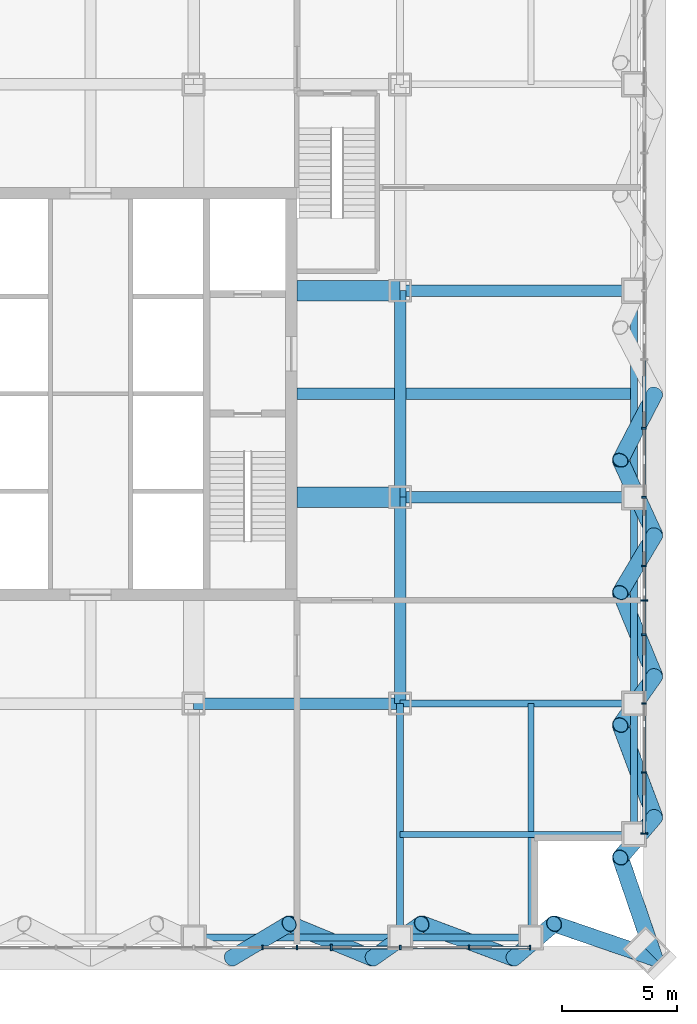
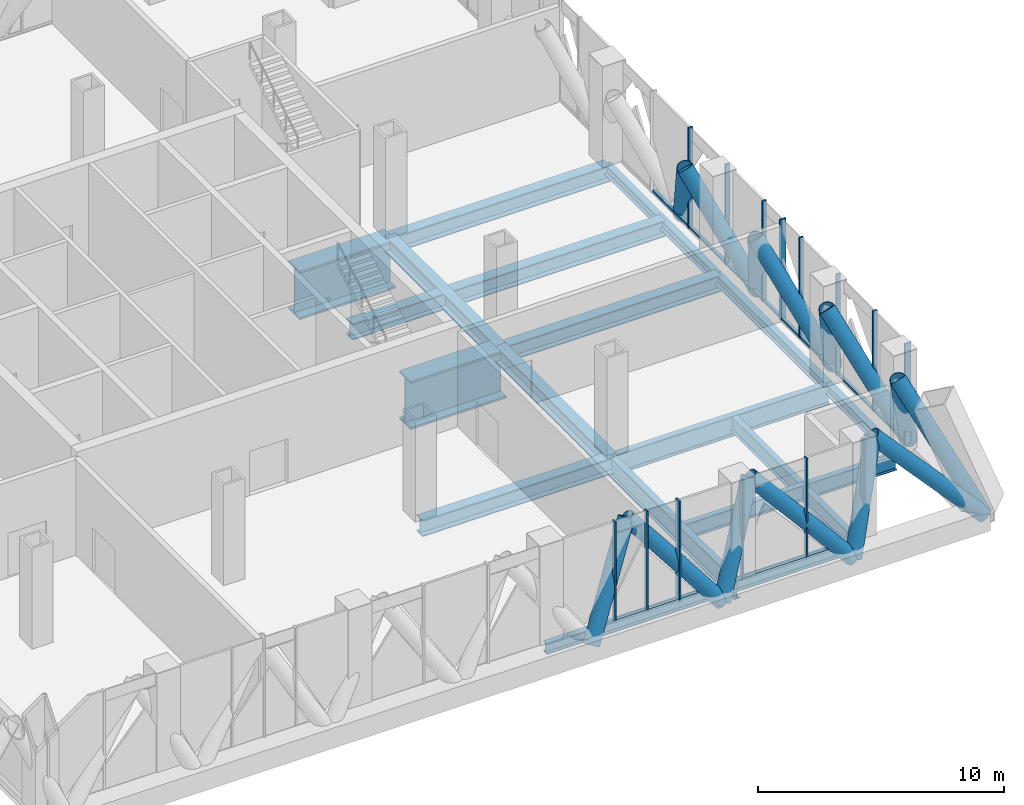
# One storey, part 7 of 29: 41 members, 17 beams, 2 elements without a shape of their own.
"""IFC4 building model written with IfcOpenShell, lengths in metres."""

import ifcopenshell
import ifcopenshell.guid

model = None  # the IFC model being written
_history = None  # IfcOwnerHistory: only IFC2X3 demands one
_inside = {}  # id of a spatial element -> (the spatial element, [elements in it])
_under = {}  # id of a project, library or spatial element -> (it, [spatial elements below it])
_declared = {}  # id of a project -> (the project, [libraries it declares])
_typed = {}  # id of a type object -> (the type object, [elements of that type])
_made_of = {}  # id of a material, layer set ... -> (it, [elements and type objects made of it])


def new_model(schema):
    """Start an empty IFC model of exactly this schema.

    Asked for "IFC4X3", IfcOpenShell would pick the latest addendum, in which some entities
    have other attributes; the version numbers below select the first issue.
    IFC2X3 requires an IfcOwnerHistory on every rooted entity: one is made here for all.
    """
    global model, _history
    if schema == "IFC4X3":
        model = ifcopenshell.file(schema_version=(4, 3, 0, 0))
    else:
        model = ifcopenshell.file(schema=schema)
    _inside.clear()
    _under.clear()
    _declared.clear()
    _typed.clear()
    _made_of.clear()
    _history = None
    if model.schema == "IFC2X3":
        org = make("IfcOrganization", Name="unknown")
        user = make(
            "IfcPersonAndOrganization",
            ThePerson=make("IfcPerson", FamilyName="unknown"),
            TheOrganization=org,
        )
        app = make(
            "IfcApplication",
            ApplicationDeveloper=org,
            Version="unknown",
            ApplicationFullName="unknown",
            ApplicationIdentifier="unknown",
        )
        _history = make(
            "IfcOwnerHistory",
            OwningUser=user,
            OwningApplication=app,
            ChangeAction="ADDED",
            CreationDate=0,
        )
    return model


def make(cls, **values):
    """One entity of the class cls with the attributes given. An attribute that is None is left unset."""
    return model.create_entity(
        cls, **{name: value for name, value in values.items() if value is not None}
    )


def rooted(cls, **values):
    """An entity with a GlobalId (a new one), such as an element, a storey or a relation."""
    return make(cls, GlobalId=ifcopenshell.guid.new(), OwnerHistory=_history, **values)


def si_unit(unit_type, name, prefix=None):
    """IfcSIUnit, for example si_unit("LENGTHUNIT", "METRE", prefix="MILLI")."""
    return make("IfcSIUnit", UnitType=unit_type, Prefix=prefix, Name=name)


def assignment(units):
    """IfcUnitAssignment: the units of a project."""
    return None if units is None else make("IfcUnitAssignment", Units=units)


def point(xyz):
    """IfcCartesianPoint."""
    return None if xyz is None else make("IfcCartesianPoint", Coordinates=xyz)


def direction(xyz):
    """IfcDirection."""
    return None if xyz is None else make("IfcDirection", DirectionRatios=xyz)


def frame(location, z_axis=None, x_axis=None):
    """IfcAxis2Placement3D, a coordinate frame: its origin and axes. An axis left out is left unset."""
    return make(
        "IfcAxis2Placement3D",
        Location=point(location),
        Axis=direction(z_axis),
        RefDirection=direction(x_axis),
    )


def frame_2d(location, x_axis=None):
    """IfcAxis2Placement2D, a coordinate frame in the plane: its origin and x axis."""
    return make(
        "IfcAxis2Placement2D", Location=point(location), RefDirection=direction(x_axis)
    )


def origin():
    """The frame at (0, 0, 0) with its axes left unset."""
    return frame((0.0, 0.0, 0.0))


def origin_2d():
    """The frame at (0, 0) in the plane with its x axis left unset."""
    return frame_2d((0.0, 0.0))


def place(relative_to, where):
    """IfcLocalPlacement: puts the frame where relative to a parent placement (None: the world)."""
    return make(
        "IfcLocalPlacement", PlacementRelTo=relative_to, RelativePlacement=where
    )


def context(
    kind, dimensions, precision=None, world=None, true_north=None, identifier=None
):
    """IfcGeometricRepresentationContext, for example the 3D "Model" context."""
    return make(
        "IfcGeometricRepresentationContext",
        ContextIdentifier=identifier,
        ContextType=kind,
        CoordinateSpaceDimension=dimensions,
        Precision=precision,
        WorldCoordinateSystem=world,
        TrueNorth=true_north,
    )


def subcontext(parent, identifier, kind, view, scale=None):
    """IfcGeometricRepresentationSubContext, for example "Body" below "Model"."""
    return make(
        "IfcGeometricRepresentationSubContext",
        ContextIdentifier=identifier,
        ContextType=kind,
        ParentContext=parent,
        TargetScale=scale,
        TargetView=view,
    )


def project(units=None, contexts=None):
    """IfcProject with its units and contexts."""
    return rooted(
        "IfcProject",
        Name="project",
        RepresentationContexts=contexts,
        UnitsInContext=assignment(units),
    )


def spatial(cls, under=None, at=None, **own):
    """A site, building, storey or space (cls), placed at a placement, below another one or the project."""
    s = rooted(cls, ObjectPlacement=at, **own)
    if under is not None:
        _under.setdefault(under.id(), (under, []))[1].append(s)
    return s


def profile(cls, at=None, kind="AREA", **sizes):
    """A parametric profile (cls). Its sizes go by their IFC names, for example OverallWidth=200.0."""
    return make(cls, ProfileType=kind, Position=at, **sizes)


def rectangle(**sizes):
    """IfcRectangleProfileDef."""
    return profile("IfcRectangleProfileDef", **sizes)


def hollow_circle(**sizes):
    """IfcCircleHollowProfileDef."""
    return profile("IfcCircleHollowProfileDef", **sizes)


def i_section(**sizes):
    """IfcIShapeProfileDef."""
    return profile("IfcIShapeProfileDef", **sizes)


def extrude(swept, where, along, depth):
    """IfcExtrudedAreaSolid: the profile swept, set in the frame where, extruded along a direction by depth."""
    return make(
        "IfcExtrudedAreaSolid",
        SweptArea=swept,
        Position=where,
        ExtrudedDirection=direction(along),
        Depth=depth,
    )


def shape(context_of_items, identifier, shape_type, items):
    """IfcShapeRepresentation: the items that make up one representation, for example the "Body"."""
    return make(
        "IfcShapeRepresentation",
        ContextOfItems=context_of_items,
        RepresentationIdentifier=identifier,
        RepresentationType=shape_type,
        Items=items,
    )


def material(Name=None, Category=None):
    """IfcMaterial."""
    return make("IfcMaterial", Name=Name, Category=Category)


def layer(
    of_material, thickness, ventilated=None, Name=None, Category=None, Priority=None
):
    """IfcMaterialLayer: one layer of a wall or slab, of a material (None: an air gap)."""
    return make(
        "IfcMaterialLayer",
        Material=of_material,
        LayerThickness=thickness,
        IsVentilated=ventilated,
        Name=Name,
        Category=Category,
        Priority=Priority,
    )


def layer_set(layers, Name=None):
    """IfcMaterialLayerSet."""
    return make("IfcMaterialLayerSet", MaterialLayers=layers, LayerSetName=Name)


def material_profile(
    of_material, cross_section, Name=None, Category=None, Priority=None
):
    """IfcMaterialProfile: a cross section and its material."""
    return make(
        "IfcMaterialProfile",
        Name=Name,
        Material=of_material,
        Profile=cross_section,
        Priority=Priority,
        Category=Category,
    )


def profile_set(profiles, Name=None, composite=None):
    """IfcMaterialProfileSet."""
    return make(
        "IfcMaterialProfileSet",
        Name=Name,
        MaterialProfiles=profiles,
        CompositeProfile=composite,
    )


def made_of(thing, what):
    """Note that an element or type object is made of a material, layer set ...; save() writes the relation."""
    if what is not None:
        _made_of.setdefault(what.id(), (what, []))[1].append(thing)
    return thing


def type_object(cls, material=None, **own):
    """A type object (cls), such as IfcWallType, which elements share."""
    return made_of(rooted(cls, **own), material)


def element(
    cls,
    number,
    at=None,
    inside=None,
    cuts=None,
    type_object=None,
    material=None,
    context=None,
    identifier="Body",
    shape_type=None,
    held_by="IfcProductDefinitionShape",
    body=None,
    shapes=None,
    **own,
):
    """One element of the class cls, such as IfcWall. Its Tag is "e" and its number.

    at: its placement. inside: the storey or other place that contains it. cuts: it is an
    opening in that element (IfcRelVoidsElement). A single representation is given by context,
    identifier, shape_type and body (its items); several are given by shapes. held_by: the class
    of the entity that holds the representations. save() writes the other relations.
    """
    e = rooted(cls, Tag="e%d" % number, ObjectPlacement=at, **own)
    if body is not None:
        shapes = [shape(context, identifier, shape_type, body)]
    if shapes is not None:
        e.Representation = make(held_by, Representations=shapes)
    if inside is not None:
        _inside.setdefault(inside.id(), (inside, []))[1].append(e)
    if cuts is not None:
        rooted(
            "IfcRelVoidsElement", RelatingBuildingElement=cuts, RelatedOpeningElement=e
        )
    if type_object is not None:
        _typed.setdefault(type_object.id(), (type_object, []))[1].append(e)
    return made_of(e, material)


def aggregate(whole, parts):
    """IfcRelAggregates: a whole, such as a stair, and the parts it consists of."""
    return rooted("IfcRelAggregates", RelatingObject=whole, RelatedObjects=parts)


def save(model, path):
    """Write the relations noted so far, then the file.

    IfcRelAggregates (storeys below a building ...), IfcRelContainedInSpatialStructure (elements
    in a storey), IfcRelDefinesByType, IfcRelAssociatesMaterial and IfcRelDeclares: one each for
    every whole, place, type object, material and project.
    """
    for whole, parts in _under.values():
        aggregate(whole, parts)
    for where, things in _inside.values():
        rooted(
            "IfcRelContainedInSpatialStructure",
            RelatedElements=things,
            RelatingStructure=where,
        )
    for kind, things in _typed.values():
        rooted("IfcRelDefinesByType", RelatedObjects=things, RelatingType=kind)
    for what, things in _made_of.values():
        rooted("IfcRelAssociatesMaterial", RelatedObjects=things, RelatingMaterial=what)
    for by, libraries in _declared.values():
        rooted("IfcRelDeclares", RelatingContext=by, RelatedDefinitions=libraries)
    model.write(path)


model = new_model("IFC4")

# Units and contexts
model_context = context("Model", 3, precision=1e-05, world=origin(), true_north=direction((0.0, 1.0)))
body_context = subcontext(model_context, "Body", "Model", "MODEL_VIEW")
ifc_project = project(units=[si_unit("LENGTHUNIT", "METRE"), si_unit("AREAUNIT", "SQUARE_METRE"), si_unit("VOLUMEUNIT", "CUBIC_METRE"), si_unit("PLANEANGLEUNIT", "RADIAN"), si_unit("MASSUNIT", "GRAM", prefix="KILO")], contexts=[model_context])

# Site, building, storey
site_placement = place(None, origin())
site = spatial("IfcSite", under=ifc_project, at=site_placement, CompositionType="ELEMENT")
building_placement = place(site_placement, origin())
building = spatial("IfcBuilding", under=site, at=building_placement, Name="Malebo Sky Hospital", CompositionType="ELEMENT")
storey_placement = place(building_placement, frame((0.0, 0.0, 172.0)))
storey = spatial("IfcBuildingStorey", under=building, at=storey_placement, Name="L41", CompositionType="ELEMENT", Elevation=172.0)

# Curtain wall, members
ifc_material_1 = material(Name="Anodised aluminium, natural silver", Category="aluminium")
ifc_layer = layer(ifc_material_1, 0.25)
ifc_layer_set = layer_set([ifc_layer], Name="PLANT LOUVRE SCREEN")
curtain_wall_type = type_object("IfcCurtainWallType", Name="PLANT LOUVRE SCREEN", PredefinedType="NOTDEFINED", material=ifc_layer_set)
curtain_wall_1_placement = place(storey_placement, origin())
curtain_wall_1 = element("IfcCurtainWall", 1, at=curtain_wall_1_placement, inside=storey, type_object=curtain_wall_type, Name="PLANT curtain wall S", PredefinedType="NOTDEFINED")
ifc_material_profile_1 = material_profile(ifc_material_1, rectangle(XDim=0.14990234375, YDim=0.10009765625, at=origin_2d()), Name="ALUMINIUM TRANSOM 150x100")
ifc_profile_set_1 = profile_set([ifc_material_profile_1], Name="Anodised aluminium, natural silver")
member_type_1 = type_object("IfcMemberType", Name="ALUMINIUM TRANSOM 150x100", PredefinedType="USERDEFINED", material=ifc_profile_set_1)
member_1_placement = place(storey_placement, frame((79.125, 37.864990234375, 0.050048828125), z_axis=(-1.0, 0.0, 0.0), x_axis=(0.0, -1.0, 0.0)))
member_1 = element("IfcMember", 2, at=member_1_placement, type_object=member_type_1, Name="Transom 1", ObjectType="TRANSOM", PredefinedType="USERDEFINED", context=body_context, shape_type="SweptSolid", body=[
    extrude(rectangle(XDim=0.14990234375, YDim=0.10009765625, at=origin_2d()), origin(), (0.0, 0.0, 1.0), 2.58740234375),
])
member_2_placement = place(storey_placement, frame((76.46240234375, 37.864990234375, 0.050048828125), z_axis=(-1.0, 0.0, 0.0), x_axis=(0.0, -1.0, 0.0)))
member_2 = element("IfcMember", 3, at=member_2_placement, type_object=member_type_1, Name="Transom 2", ObjectType="TRANSOM", PredefinedType="USERDEFINED", context=body_context, shape_type="SweptSolid", body=[
    extrude(rectangle(XDim=0.14990234375, YDim=0.10009765625, at=origin_2d()), origin(), (0.0, 0.0, 1.0), 2.9248046875),
])
member_3_placement = place(storey_placement, frame((73.46240234375, 37.864990234375, 0.050048828125), z_axis=(-1.0, 0.0, 0.0), x_axis=(0.0, -1.0, 0.0)))
member_3 = element("IfcMember", 4, at=member_3_placement, type_object=member_type_1, Name="Transom 3", ObjectType="TRANSOM", PredefinedType="USERDEFINED", context=body_context, shape_type="SweptSolid", body=[
    extrude(rectangle(XDim=0.14990234375, YDim=0.10009765625, at=origin_2d()), origin(), (0.0, 0.0, 1.0), 2.9248046875),
])
member_4_placement = place(storey_placement, frame((70.46240234375, 37.864990234375, 0.050048828125), z_axis=(-1.0, 0.0, 0.0), x_axis=(0.0, -1.0, 0.0)))
member_4 = element("IfcMember", 5, at=member_4_placement, type_object=member_type_1, Name="Transom 4", ObjectType="TRANSOM", PredefinedType="USERDEFINED", context=body_context, shape_type="SweptSolid", body=[
    extrude(rectangle(XDim=0.14990234375, YDim=0.10009765625, at=origin_2d()), origin(), (0.0, 0.0, 1.0), 1.4248046875),
])
member_5_placement = place(storey_placement, frame((68.96240234375, 37.864990234375, 0.050048828125), z_axis=(-1.0, 0.0, 0.0), x_axis=(0.0, -1.0, 0.0)))
member_5 = element("IfcMember", 6, at=member_5_placement, type_object=member_type_1, Name="Transom 5", ObjectType="TRANSOM", PredefinedType="USERDEFINED", context=body_context, shape_type="SweptSolid", body=[
    extrude(rectangle(XDim=0.14990234375, YDim=0.10009765625, at=origin_2d()), origin(), (0.0, 0.0, 1.0), 1.4248046875),
])

curtain_wall_2_placement = place(storey_placement, origin())
curtain_wall_2 = element("IfcCurtainWall", 7, at=curtain_wall_2_placement, inside=storey, type_object=curtain_wall_type, Name="PLANT curtain wall E", PredefinedType="NOTDEFINED")
member_6_placement = place(storey_placement, frame((84.135009765625, 63.46240234375, 0.050048828125), z_axis=(0.0, -1.0, 0.0), x_axis=(1.0, 0.0, 0.0)))
member_6 = element("IfcMember", 8, at=member_6_placement, type_object=member_type_1, Name="Transom 8", ObjectType="TRANSOM", PredefinedType="USERDEFINED", context=body_context, shape_type="SweptSolid", body=[
    extrude(rectangle(XDim=0.14990234375, YDim=0.10009765625, at=origin_2d()), origin(), (0.0, 0.0, 1.0), 2.9248046875),
])
member_7_placement = place(storey_placement, frame((84.135009765625, 60.46240234375, 0.050048828125), z_axis=(0.0, -1.0, 0.0), x_axis=(1.0, 0.0, 0.0)))
member_7 = element("IfcMember", 9, at=member_7_placement, type_object=member_type_1, Name="Transom 9", ObjectType="TRANSOM", PredefinedType="USERDEFINED", context=body_context, shape_type="SweptSolid", body=[
    extrude(rectangle(XDim=0.14990234375, YDim=0.10009765625, at=origin_2d()), origin(), (0.0, 0.0, 1.0), 2.9248046875),
])
member_8_placement = place(storey_placement, frame((84.135009765625, 57.46240234375, 0.050048828125), z_axis=(0.0, -1.0, 0.0), x_axis=(1.0, 0.0, 0.0)))
member_8 = element("IfcMember", 10, at=member_8_placement, type_object=member_type_1, Name="Transom 10", ObjectType="TRANSOM", PredefinedType="USERDEFINED", context=body_context, shape_type="SweptSolid", body=[
    extrude(rectangle(XDim=0.14990234375, YDim=0.10009765625, at=origin_2d()), origin(), (0.0, 0.0, 1.0), 2.9248046875),
])
member_9_placement = place(storey_placement, frame((84.135009765625, 54.46240234375, 0.050048828125), z_axis=(0.0, -1.0, 0.0), x_axis=(1.0, 0.0, 0.0)))
member_9 = element("IfcMember", 11, at=member_9_placement, type_object=member_type_1, Name="Transom 11", ObjectType="TRANSOM", PredefinedType="USERDEFINED", context=body_context, shape_type="SweptSolid", body=[
    extrude(rectangle(XDim=0.14990234375, YDim=0.10009765625, at=origin_2d()), origin(), (0.0, 0.0, 1.0), 1.4248046875),
])
member_10_placement = place(storey_placement, frame((84.135009765625, 52.96240234375, 0.050048828125), z_axis=(0.0, -1.0, 0.0), x_axis=(1.0, 0.0, 0.0)))
member_10 = element("IfcMember", 12, at=member_10_placement, type_object=member_type_1, Name="Transom 12", ObjectType="TRANSOM", PredefinedType="USERDEFINED", context=body_context, shape_type="SweptSolid", body=[
    extrude(rectangle(XDim=0.14990234375, YDim=0.10009765625, at=origin_2d()), origin(), (0.0, 0.0, 1.0), 1.4248046875),
])
member_11_placement = place(storey_placement, frame((84.135009765625, 51.46240234375, 0.050048828125), z_axis=(0.0, -1.0, 0.0), x_axis=(1.0, 0.0, 0.0)))
member_11 = element("IfcMember", 13, at=member_11_placement, type_object=member_type_1, Name="Transom 13", ObjectType="TRANSOM", PredefinedType="USERDEFINED", context=body_context, shape_type="SweptSolid", body=[
    extrude(rectangle(XDim=0.14990234375, YDim=0.10009765625, at=origin_2d()), origin(), (0.0, 0.0, 1.0), 2.9248046875),
])
member_12_placement = place(storey_placement, frame((84.135009765625, 48.46240234375, 0.050048828125), z_axis=(0.0, -1.0, 0.0), x_axis=(1.0, 0.0, 0.0)))
member_12 = element("IfcMember", 14, at=member_12_placement, type_object=member_type_1, Name="Transom 14", ObjectType="TRANSOM", PredefinedType="USERDEFINED", context=body_context, shape_type="SweptSolid", body=[
    extrude(rectangle(XDim=0.14990234375, YDim=0.10009765625, at=origin_2d()), origin(), (0.0, 0.0, 1.0), 2.9248046875),
])
member_13_placement = place(storey_placement, frame((84.135009765625, 45.46240234375, 0.050048828125), z_axis=(0.0, -1.0, 0.0), x_axis=(1.0, 0.0, 0.0)))
member_13 = element("IfcMember", 15, at=member_13_placement, type_object=member_type_1, Name="Transom 15", ObjectType="TRANSOM", PredefinedType="USERDEFINED", context=body_context, shape_type="SweptSolid", body=[
    extrude(rectangle(XDim=0.14990234375, YDim=0.10009765625, at=origin_2d()), origin(), (0.0, 0.0, 1.0), 2.58740234375),
])

# Members
ifc_material_2 = material(Name="Steel S460", Category="steel")
ifc_material_profile_2 = material_profile(ifc_material_2, hollow_circle(Radius=0.35546875, WallThickness=0.02490234375, at=origin_2d()), Name="CHS 711x25")
ifc_profile_set_2 = profile_set([ifc_material_profile_2], Name="Steel S460")
member_type_2 = type_object("IfcMemberType", Name="BELT TRUSS DIAGONAL CHS 711x25", PredefinedType="BRACE", material=ifc_profile_set_2)
member_14_placement = place(storey_placement, frame((66.14990234375, 37.39990234375, -0.39990234375), z_axis=(0.464483521417, 0.277282039991, 0.841052750207), x_axis=(-0.512580541453, 0.858639149191, 0.0)))
element("IfcMember", 16, at=member_14_placement, inside=storey, type_object=member_type_2, Name="Belt truss diagonal S6.1 L41", PredefinedType="BRACE", context=body_context, shape_type="SweptSolid", body=[
    extrude(hollow_circle(Radius=0.35546875, WallThickness=0.02490234375, at=origin_2d()), origin(), (0.0, 0.0, 1.0), 5.40966796875),
])
member_15_placement = place(storey_placement, frame((68.66259765625, 38.89990234375, 4.14990234375), z_axis=(0.604717094337, -0.249371221398, -0.756393568029), x_axis=(0.381233483965, 0.924478788672, 0.0)))
element("IfcMember", 17, at=member_15_placement, inside=storey, type_object=member_type_2, Name="Belt truss diagonal S6.2 L41", PredefinedType="BRACE", context=body_context, shape_type="SweptSolid", body=[
    extrude(hollow_circle(Radius=0.35546875, WallThickness=0.02490234375, at=origin_2d()), origin(), (0.0, 0.0, 1.0), 6.01513671875),
])
member_16_placement = place(storey_placement, frame((72.300048828125, 37.39990234375, -0.39990234375), z_axis=(0.407452101972, 0.285937831469, 0.867307523969), x_axis=(-0.574434541353, 0.818550522387, 0.0)))
element("IfcMember", 18, at=member_16_placement, inside=storey, type_object=member_type_2, Name="Belt truss diagonal S7.1 L41", PredefinedType="BRACE", context=body_context, shape_type="SweptSolid", body=[
    extrude(hollow_circle(Radius=0.35546875, WallThickness=0.02490234375, at=origin_2d()), origin(), (0.0, 0.0, 1.0), 5.245849609375),
])
member_17_placement = place(storey_placement, frame((74.4375, 38.89990234375, 4.14990234375), z_axis=(0.642090926271, -0.240036912139, -0.728080712017), x_axis=(0.350167642828, 0.936687045878, 0.0)))
element("IfcMember", 19, at=member_17_placement, inside=storey, type_object=member_type_2, Name="Belt truss diagonal S7.2 L41", PredefinedType="BRACE", context=body_context, shape_type="SweptSolid", body=[
    extrude(hollow_circle(Radius=0.35546875, WallThickness=0.02490234375, at=origin_2d()), origin(), (0.0, 0.0, 1.0), 6.2490234375),
])
member_18_placement = place(storey_placement, frame((78.449951171875, 37.39990234375, -0.39990234375), z_axis=(0.345267139836, 0.29385251519, 0.891314367362), x_axis=(-0.648129042738, 0.761530527267, 0.0)))
element("IfcMember", 20, at=member_18_placement, inside=storey, type_object=member_type_2, Name="Belt truss diagonal S8.1 L41", PredefinedType="BRACE", context=body_context, shape_type="SweptSolid", body=[
    extrude(hollow_circle(Radius=0.35546875, WallThickness=0.02490234375, at=origin_2d()), origin(), (0.0, 0.0, 1.0), 5.1044921875),
])
for number, where, z_axis, x_axis, name in (
    (21, (80.21240234375, 38.89990234375, 4.14990234375), (0.675409080109, -0.230898808602, -0.700362987809), (0.323484250944, 0.946233554357, 0.0), "Belt truss diagonal S8.2 L41"),
    (22, (84.60009765625, 37.39990234375, -0.39990234375), (-0.230898808602, 0.675409080109, 0.700362987809), (-0.946233554357, -0.323484250944, 0.0), "Belt truss diagonal E1.1 L41"),
):
    element("IfcMember", number, at=place(storey_placement, frame(where, z_axis=z_axis, x_axis=x_axis)), inside=storey, type_object=member_type_2, Name=name, PredefinedType="BRACE", context=body_context, shape_type="SweptSolid", body=[
        extrude(hollow_circle(Radius=0.35546875, WallThickness=0.02490234375, at=origin_2d()), origin(), (0.0, 0.0, 1.0), 6.496337890625),
    ])
member_19_placement = place(storey_placement, frame((83.10009765625, 41.78759765625, 4.14990234375), z_axis=(0.29385251519, 0.345267139836, -0.891314367362), x_axis=(-0.761530527267, 0.648129042738, 0.0)))
element("IfcMember", 23, at=member_19_placement, inside=storey, type_object=member_type_2, Name="Belt truss diagonal E1.2 L41", PredefinedType="BRACE", context=body_context, shape_type="SweptSolid", body=[
    extrude(hollow_circle(Radius=0.35546875, WallThickness=0.02490234375, at=origin_2d()), origin(), (0.0, 0.0, 1.0), 5.1044921875),
])
member_20_placement = place(storey_placement, frame((84.60009765625, 43.550048828125, -0.39990234375), z_axis=(-0.240036912139, 0.642090926271, 0.728080712017), x_axis=(-0.936687045878, -0.350167642828, 0.0)))
element("IfcMember", 24, at=member_20_placement, inside=storey, type_object=member_type_2, Name="Belt truss diagonal E2.1 L41", PredefinedType="BRACE", context=body_context, shape_type="SweptSolid", body=[
    extrude(hollow_circle(Radius=0.35546875, WallThickness=0.02490234375, at=origin_2d()), origin(), (0.0, 0.0, 1.0), 6.2490234375),
])
member_21_placement = place(storey_placement, frame((83.10009765625, 47.5625, 4.14990234375), z_axis=(0.285937831469, 0.407452101972, -0.867307523969), x_axis=(-0.818550522387, 0.574434541353, 0.0)))
element("IfcMember", 25, at=member_21_placement, inside=storey, type_object=member_type_2, Name="Belt truss diagonal E2.2 L41", PredefinedType="BRACE", context=body_context, shape_type="SweptSolid", body=[
    extrude(hollow_circle(Radius=0.35546875, WallThickness=0.02490234375, at=origin_2d()), origin(), (0.0, 0.0, 1.0), 5.245849609375),
])
member_22_placement = place(storey_placement, frame((84.60009765625, 49.699951171875, -0.39990234375), z_axis=(-0.249371221398, 0.604717094337, 0.756393568029), x_axis=(-0.924478788672, -0.381233483965, 0.0)))
element("IfcMember", 26, at=member_22_placement, inside=storey, type_object=member_type_2, Name="Belt truss diagonal E3.1 L41", PredefinedType="BRACE", context=body_context, shape_type="SweptSolid", body=[
    extrude(hollow_circle(Radius=0.35546875, WallThickness=0.02490234375, at=origin_2d()), origin(), (0.0, 0.0, 1.0), 6.01513671875),
])
member_23_placement = place(storey_placement, frame((83.10009765625, 53.33740234375, 4.14990234375), z_axis=(0.277282039991, 0.464483521417, -0.841052750207), x_axis=(-0.858639149191, 0.512580541453, 0.0)))
element("IfcMember", 27, at=member_23_placement, inside=storey, type_object=member_type_2, Name="Belt truss diagonal E3.2 L41", PredefinedType="BRACE", context=body_context, shape_type="SweptSolid", body=[
    extrude(hollow_circle(Radius=0.35546875, WallThickness=0.02490234375, at=origin_2d()), origin(), (0.0, 0.0, 1.0), 5.40966796875),
])
member_24_placement = place(storey_placement, frame((84.60009765625, 55.85009765625, -0.39990234375), z_axis=(-0.258796497336, 0.562873957341, 0.78498234446), x_axis=(-0.908567362374, -0.417738372703, 0.0)))
element("IfcMember", 28, at=member_24_placement, inside=storey, type_object=member_type_2, Name="Belt truss diagonal E4.1 L41", PredefinedType="BRACE", context=body_context, shape_type="SweptSolid", body=[
    extrude(hollow_circle(Radius=0.35546875, WallThickness=0.02490234375, at=origin_2d()), origin(), (0.0, 0.0, 1.0), 5.796142578125),
])
member_25_placement = place(storey_placement, frame((83.10009765625, 59.112548828125, 4.14990234375), z_axis=(0.268164746883, 0.516208408429, -0.813398148262), x_axis=(-0.887402230287, 0.460995967099, 0.0)))
element("IfcMember", 29, at=member_25_placement, inside=storey, type_object=member_type_2, Name="Belt truss diagonal E4.2 L41", PredefinedType="BRACE", context=body_context, shape_type="SweptSolid", body=[
    extrude(hollow_circle(Radius=0.35546875, WallThickness=0.02490234375, at=origin_2d()), origin(), (0.0, 0.0, 1.0), 5.593505859375),
])

# Member
ifc_material_profile_3 = material_profile(ifc_material_1, rectangle(XDim=0.074951171875, YDim=0.199951171875, at=origin_2d()), Name="CW5 ALUMINIUM FIN MULLION 75x200")
ifc_profile_set_3 = profile_set([ifc_material_profile_3], Name="Anodised aluminium, natural silver")
member_type_3 = type_object("IfcMemberType", Name="CW5 ALUMINIUM FIN MULLION 75x200", PredefinedType="MULLION", material=ifc_profile_set_3)
member_26_placement = place(storey_placement, frame((79.16259765625, 37.864990234375, 0.0), z_axis=(0.0, 0.0, 1.0), x_axis=(-1.0, 0.0, 0.0)))
member_26 = element("IfcMember", 30, at=member_26_placement, type_object=member_type_3, Name="Fin mullion 1", PredefinedType="MULLION", context=body_context, shape_type="SweptSolid", body=[
    extrude(rectangle(XDim=0.074951171875, YDim=0.199951171875, at=origin_2d()), origin(), (0.0, 0.0, 1.0), 5.0),
])

member_27_placement = place(storey_placement, frame((76.5, 37.864990234375, 0.0), z_axis=(0.0, 0.0, 1.0), x_axis=(-1.0, 0.0, 0.0)))
member_27 = element("IfcMember", 31, at=member_27_placement, type_object=member_type_3, Name="Fin mullion 2", PredefinedType="MULLION", context=body_context, shape_type="SweptSolid", body=[
    extrude(rectangle(XDim=0.074951171875, YDim=0.199951171875, at=origin_2d()), origin(), (0.0, 0.0, 1.0), 5.0),
])

member_28_placement = place(storey_placement, frame((73.5, 37.864990234375, 0.0), z_axis=(0.0, 0.0, 1.0), x_axis=(-1.0, 0.0, 0.0)))
member_28 = element("IfcMember", 32, at=member_28_placement, type_object=member_type_3, Name="Fin mullion 3", PredefinedType="MULLION", context=body_context, shape_type="SweptSolid", body=[
    extrude(rectangle(XDim=0.074951171875, YDim=0.199951171875, at=origin_2d()), origin(), (0.0, 0.0, 1.0), 5.0),
])

member_29_placement = place(storey_placement, frame((69.0, 37.864990234375, 0.0), z_axis=(0.0, 0.0, 1.0), x_axis=(-1.0, 0.0, 0.0)))
member_29 = element("IfcMember", 33, at=member_29_placement, type_object=member_type_3, Name="Fin mullion 5", PredefinedType="MULLION", context=body_context, shape_type="SweptSolid", body=[
    extrude(rectangle(XDim=0.074951171875, YDim=0.199951171875, at=origin_2d()), origin(), (0.0, 0.0, 1.0), 5.0),
])

member_30_placement = place(storey_placement, frame((67.5, 37.864990234375, 0.0), z_axis=(0.0, 0.0, 1.0), x_axis=(-1.0, 0.0, 0.0)))
member_30 = element("IfcMember", 34, at=member_30_placement, type_object=member_type_3, Name="Fin mullion 6", PredefinedType="MULLION", context=body_context, shape_type="SweptSolid", body=[
    extrude(rectangle(XDim=0.074951171875, YDim=0.199951171875, at=origin_2d()), origin(), (0.0, 0.0, 1.0), 5.0),
])

member_31_placement = place(storey_placement, frame((84.135009765625, 60.5, 0.0), z_axis=(0.0, 0.0, 1.0), x_axis=(0.0, -1.0, 0.0)))
member_31 = element("IfcMember", 35, at=member_31_placement, type_object=member_type_3, Name="Fin mullion 9", PredefinedType="MULLION", context=body_context, shape_type="SweptSolid", body=[
    extrude(rectangle(XDim=0.074951171875, YDim=0.199951171875, at=origin_2d()), origin(), (0.0, 0.0, 1.0), 5.0),
])

member_32_placement = place(storey_placement, frame((84.135009765625, 57.5, 0.0), z_axis=(0.0, 0.0, 1.0), x_axis=(0.0, -1.0, 0.0)))
member_32 = element("IfcMember", 36, at=member_32_placement, type_object=member_type_3, Name="Fin mullion 10", PredefinedType="MULLION", context=body_context, shape_type="SweptSolid", body=[
    extrude(rectangle(XDim=0.074951171875, YDim=0.199951171875, at=origin_2d()), origin(), (0.0, 0.0, 1.0), 5.0),
])

member_33_placement = place(storey_placement, frame((84.135009765625, 54.5, 0.0), z_axis=(0.0, 0.0, 1.0), x_axis=(0.0, -1.0, 0.0)))
member_33 = element("IfcMember", 37, at=member_33_placement, type_object=member_type_3, Name="Fin mullion 11", PredefinedType="MULLION", context=body_context, shape_type="SweptSolid", body=[
    extrude(rectangle(XDim=0.074951171875, YDim=0.199951171875, at=origin_2d()), origin(), (0.0, 0.0, 1.0), 5.0),
])

member_34_placement = place(storey_placement, frame((84.135009765625, 51.5, 0.0), z_axis=(0.0, 0.0, 1.0), x_axis=(0.0, -1.0, 0.0)))
member_34 = element("IfcMember", 38, at=member_34_placement, type_object=member_type_3, Name="Fin mullion 13", PredefinedType="MULLION", context=body_context, shape_type="SweptSolid", body=[
    extrude(rectangle(XDim=0.074951171875, YDim=0.199951171875, at=origin_2d()), origin(), (0.0, 0.0, 1.0), 5.0),
])

member_35_placement = place(storey_placement, frame((84.135009765625, 48.5, 0.0), z_axis=(0.0, 0.0, 1.0), x_axis=(0.0, -1.0, 0.0)))
member_35 = element("IfcMember", 39, at=member_35_placement, type_object=member_type_3, Name="Fin mullion 14", PredefinedType="MULLION", context=body_context, shape_type="SweptSolid", body=[
    extrude(rectangle(XDim=0.074951171875, YDim=0.199951171875, at=origin_2d()), origin(), (0.0, 0.0, 1.0), 5.0),
])

member_36_placement = place(storey_placement, frame((84.135009765625, 45.5, 0.0), z_axis=(0.0, 0.0, 1.0), x_axis=(0.0, -1.0, 0.0)))
member_36 = element("IfcMember", 40, at=member_36_placement, type_object=member_type_3, Name="Fin mullion 15", PredefinedType="MULLION", context=body_context, shape_type="SweptSolid", body=[
    extrude(rectangle(XDim=0.074951171875, YDim=0.199951171875, at=origin_2d()), origin(), (0.0, 0.0, 1.0), 5.0),
])

ifc_material_profile_4 = material_profile(ifc_material_1, rectangle(XDim=0.074951171875, YDim=0.300048828125, at=origin_2d()), Name="CW5 ALUMINIUM FIN MULLION 75x300")
ifc_profile_set_4 = profile_set([ifc_material_profile_4], Name="Anodised aluminium, natural silver")
member_type_4 = type_object("IfcMemberType", Name="CW5 ALUMINIUM FIN MULLION 75x300", PredefinedType="MULLION", material=ifc_profile_set_4)
member_37_placement = place(storey_placement, frame((70.5, 37.864990234375, 0.0), z_axis=(0.0, 0.0, 1.0), x_axis=(-1.0, 0.0, 0.0)))
member_37 = element("IfcMember", 41, at=member_37_placement, type_object=member_type_4, Name="Fin mullion 4", PredefinedType="MULLION", context=body_context, shape_type="SweptSolid", body=[
    extrude(rectangle(XDim=0.074951171875, YDim=0.300048828125, at=origin_2d()), origin(), (0.0, 0.0, 1.0), 5.0),
])

aggregate(curtain_wall_1, [member_26, member_27, member_28, member_37, member_29, member_30, member_1, member_2, member_3, member_4, member_5])

member_38_placement = place(storey_placement, frame((84.135009765625, 53.0, 0.0), z_axis=(0.0, 0.0, 1.0), x_axis=(0.0, -1.0, 0.0)))
member_38 = element("IfcMember", 42, at=member_38_placement, type_object=member_type_4, Name="Fin mullion 12", PredefinedType="MULLION", context=body_context, shape_type="SweptSolid", body=[
    extrude(rectangle(XDim=0.074951171875, YDim=0.300048828125, at=origin_2d()), origin(), (0.0, 0.0, 1.0), 5.0),
])

member_39_placement = place(storey_placement, frame((84.135009765625, 42.83740234375, 0.0), z_axis=(0.0, 0.0, 1.0), x_axis=(0.0, -1.0, 0.0)))
member_39 = element("IfcMember", 43, at=member_39_placement, type_object=member_type_4, Name="Fin mullion 16", PredefinedType="MULLION", context=body_context, shape_type="SweptSolid", body=[
    extrude(rectangle(XDim=0.074951171875, YDim=0.300048828125, at=origin_2d()), origin(), (0.0, 0.0, 1.0), 5.0),
])

aggregate(curtain_wall_2, [member_31, member_32, member_33, member_38, member_34, member_35, member_36, member_39, member_6, member_7, member_8, member_9, member_10, member_11, member_12, member_13])

# Beams
ifc_material_3 = material(Name="Steel S355", Category="steel")
ifc_material_profile_5 = material_profile(ifc_material_3, i_section(OverallWidth=0.305908203125, OverallDepth=0.52392578125, WebThickness=0.02099609375, FlangeThickness=0.0400390625, FilletRadius=0.027099609375, at=origin_2d()), Name="HEM 500")
ifc_profile_set_5 = profile_set([ifc_material_profile_5], Name="Steel S355")
beam_type_1 = type_object("IfcBeamType", Name="EDGE BEAM HEM 500", PredefinedType="BEAM", material=ifc_profile_set_5)
beam_1_placement = place(storey_placement, frame((83.699951171875, 42.949951171875, -0.511962890625), z_axis=(0.0, 1.0, 0.0), x_axis=(-1.0, 0.0, 0.0)))
element("IfcBeam", 44, at=beam_1_placement, inside=storey, type_object=beam_type_1, Name="Beam 029 L41", PredefinedType="BEAM", context=body_context, shape_type="SweptSolid", body=[
    extrude(i_section(OverallWidth=0.305908203125, OverallDepth=0.52392578125, WebThickness=0.02099609375, FlangeThickness=0.0400390625, FilletRadius=0.027099609375, at=origin_2d()), origin(), (0.0, 0.0, 1.0), 5.550048828125),
])
for number, where, z_axis, x_axis, name in (
    (45, (83.699951171875, 48.5, -0.511962890625), (0.0, 1.0, 0.0), (-1.0, 0.0, 0.0), "Beam 030 L41"),
    (46, (83.699951171875, 57.5, -0.511962890625), (0.0, 1.0, 0.0), (-1.0, 0.0, 0.0), "Beam 031 L41"),
    (47, (64.5, 38.300048828125, -0.511962890625), (1.0, 0.0, 0.0), (0.0, 1.0, 0.0), "Beam 037 L41"),
):
    element("IfcBeam", number, at=place(storey_placement, frame(where, z_axis=z_axis, x_axis=x_axis)), inside=storey, type_object=beam_type_1, Name=name, PredefinedType="BEAM", context=body_context, shape_type="SweptSolid", body=[
        extrude(i_section(OverallWidth=0.305908203125, OverallDepth=0.52392578125, WebThickness=0.02099609375, FlangeThickness=0.0400390625, FilletRadius=0.027099609375, at=origin_2d()), origin(), (0.0, 0.0, 1.0), 9.0),
    ])
beam_2_placement = place(storey_placement, frame((73.5, 38.300048828125, -0.511962890625), z_axis=(1.0, 0.0, 0.0), x_axis=(0.0, 1.0, 0.0)))
element("IfcBeam", 48, at=beam_2_placement, inside=storey, type_object=beam_type_1, Name="Beam 038 L41", PredefinedType="BEAM", context=body_context, shape_type="SweptSolid", body=[
    extrude(i_section(OverallWidth=0.305908203125, OverallDepth=0.52392578125, WebThickness=0.02099609375, FlangeThickness=0.0400390625, FilletRadius=0.027099609375, at=origin_2d()), origin(), (0.0, 0.0, 1.0), 5.550048828125),
])
ifc_material_profile_6 = material_profile(ifc_material_3, i_section(OverallWidth=0.26708984375, OverallDepth=0.761962890625, WebThickness=0.014404296875, FlangeThickness=0.021484375, FilletRadius=0.01708984375, at=origin_2d()), Name="IPE 750x173")
ifc_profile_set_6 = profile_set([ifc_material_profile_6], Name="Steel S355")
beam_type_2 = type_object("IfcBeamType", Name="FLOOR BEAM IPE 750x173", PredefinedType="BEAM", material=ifc_profile_set_6)
for number, where, z_axis, x_axis, name in (
    (49, (79.199951171875, 38.449951171875, -0.631103515625), (0.0, 1.0, 0.0), (-1.0, 0.0, 0.0), "Beam 027 L41"),
    (50, (73.5, 42.800048828125, -0.631103515625), (1.0, 0.0, 0.0), (0.0, 1.0, 0.0), "Beam 040 L41"),
):
    element("IfcBeam", number, at=place(storey_placement, frame(where, z_axis=z_axis, x_axis=x_axis)), inside=storey, type_object=beam_type_2, Name=name, PredefinedType="BEAM", context=body_context, shape_type="SweptSolid", body=[
        extrude(i_section(OverallWidth=0.26708984375, OverallDepth=0.761962890625, WebThickness=0.014404296875, FlangeThickness=0.021484375, FilletRadius=0.01708984375, at=origin_2d()), origin(), (0.0, 0.0, 1.0), 10.050048828125),
    ])
ifc_material_profile_7 = material_profile(ifc_material_3, i_section(OverallWidth=0.89990234375, OverallDepth=2.39990234375, WebThickness=0.050048828125, FlangeThickness=0.10009765625, at=origin_2d()), Name="PG 2400x900x50x100")
ifc_profile_set_7 = profile_set([ifc_material_profile_7], Name="Steel S355")
beam_type_3 = type_object("IfcBeamType", Name="FLOOR BEAM PG 2400x900x50x100", PredefinedType="BEAM", material=ifc_profile_set_7)
for number, where, z_axis, x_axis, name in (
    (51, (69.0, 57.5, -1.449951171875), (1.0, 0.0, 0.0), (0.0, 1.0, 0.0), "Beam 048 L41"),
    (52, (69.0, 66.5, -1.449951171875), (1.0, 0.0, 0.0), (0.0, 1.0, 0.0), "Beam 054 L41"),
):
    element("IfcBeam", number, at=place(storey_placement, frame(where, z_axis=z_axis, x_axis=x_axis)), inside=storey, type_object=beam_type_3, Name=name, PredefinedType="BEAM", context=body_context, shape_type="SweptSolid", body=[
        extrude(i_section(OverallWidth=0.89990234375, OverallDepth=2.39990234375, WebThickness=0.050048828125, FlangeThickness=0.10009765625, at=origin_2d()), origin(), (0.0, 0.0, 1.0), 4.5),
    ])
ifc_material_profile_8 = material_profile(ifc_material_3, i_section(OverallWidth=0.5, OverallDepth=0.800048828125, WebThickness=0.030029296875, FlangeThickness=0.050048828125, at=origin_2d()), Name="PG 800x500x30x50")
ifc_profile_set_8 = profile_set([ifc_material_profile_8], Name="Steel S355")
beam_type_4 = type_object("IfcBeamType", Name="FLOOR BEAM PG 800x500x30x50", PredefinedType="BEAM", material=ifc_profile_set_8)
for number, where, z_axis, x_axis, name in (
    (53, (73.5, 48.5, -0.64990234375), (0.0, 1.0, 0.0), (-1.0, 0.0, 0.0), "Beam 023 L41"),
    (54, (64.5, 48.5, -0.64990234375), (1.0, 0.0, 0.0), (0.0, 1.0, 0.0), "Beam 044 L41"),
):
    element("IfcBeam", number, at=place(storey_placement, frame(where, z_axis=z_axis, x_axis=x_axis)), inside=storey, type_object=beam_type_4, Name=name, PredefinedType="BEAM", context=body_context, shape_type="SweptSolid", body=[
        extrude(i_section(OverallWidth=0.5, OverallDepth=0.800048828125, WebThickness=0.030029296875, FlangeThickness=0.050048828125, at=origin_2d()), origin(), (0.0, 0.0, 1.0), 9.0),
    ])
beam_3_placement = place(storey_placement, frame((73.5, 57.5, -0.64990234375), z_axis=(1.0, 0.0, 0.0), x_axis=(0.0, 1.0, 0.0)))
element("IfcBeam", 55, at=beam_3_placement, inside=storey, type_object=beam_type_4, Name="Beam 049 L41", PredefinedType="BEAM", context=body_context, shape_type="SweptSolid", body=[
    extrude(i_section(OverallWidth=0.5, OverallDepth=0.800048828125, WebThickness=0.030029296875, FlangeThickness=0.050048828125, at=origin_2d()), origin(), (0.0, 0.0, 1.0), 10.199951171875),
])
beam_4_placement = place(storey_placement, frame((69.0, 62.0, -0.64990234375), z_axis=(1.0, 0.0, 0.0), x_axis=(0.0, 1.0, 0.0)))
element("IfcBeam", 56, at=beam_4_placement, inside=storey, type_object=beam_type_4, Name="Beam 051 L41", PredefinedType="BEAM", context=body_context, shape_type="SweptSolid", body=[
    extrude(i_section(OverallWidth=0.5, OverallDepth=0.800048828125, WebThickness=0.030029296875, FlangeThickness=0.050048828125, at=origin_2d()), origin(), (0.0, 0.0, 1.0), 14.699951171875),
])
beam_5_placement = place(storey_placement, frame((73.5, 66.5, -0.64990234375), z_axis=(1.0, 0.0, 0.0), x_axis=(0.0, 1.0, 0.0)))
element("IfcBeam", 57, at=beam_5_placement, inside=storey, type_object=beam_type_4, Name="Beam 055 L41", PredefinedType="BEAM", context=body_context, shape_type="SweptSolid", body=[
    extrude(i_section(OverallWidth=0.5, OverallDepth=0.800048828125, WebThickness=0.030029296875, FlangeThickness=0.050048828125, at=origin_2d()), origin(), (0.0, 0.0, 1.0), 10.199951171875),
])
ifc_material_profile_9 = material_profile(ifc_material_3, i_section(OverallWidth=0.300048828125, OverallDepth=1.0, WebThickness=0.01904296875, FlangeThickness=0.035888671875, FilletRadius=0.030029296875, at=origin_2d()), Name="HEB 1000")
ifc_profile_set_9 = profile_set([ifc_material_profile_9], Name="Steel S355")
beam_type_5 = type_object("IfcBeamType", Name="FLOOR GIRDER HEB 1000", PredefinedType="BEAM", material=ifc_profile_set_9)
for number, where, z_axis, x_axis, name in (
    (58, (73.5, 38.300048828125, -0.75), (0.0, 1.0, 0.0), (-1.0, 0.0, 0.0), "Beam 022 L41"),
    (59, (73.5, 48.5, -0.75), (1.0, 0.0, 0.0), (0.0, 1.0, 0.0), "Beam 045 L41"),
):
    element("IfcBeam", number, at=place(storey_placement, frame(where, z_axis=z_axis, x_axis=x_axis)), inside=storey, type_object=beam_type_5, Name=name, PredefinedType="BEAM", context=body_context, shape_type="SweptSolid", body=[
        extrude(i_section(OverallWidth=0.300048828125, OverallDepth=1.0, WebThickness=0.01904296875, FlangeThickness=0.035888671875, FilletRadius=0.030029296875, at=origin_2d()), origin(), (0.0, 0.0, 1.0), 10.199951171875),
    ])
ifc_material_profile_10 = material_profile(ifc_material_3, i_section(OverallWidth=0.5, OverallDepth=0.800048828125, WebThickness=0.030029296875, FlangeThickness=0.050048828125, at=origin_2d()), Name="PG 800x500x30x50")
ifc_profile_set_10 = profile_set([ifc_material_profile_10], Name="Steel S355")
beam_type_6 = type_object("IfcBeamType", Name="RING GIRDER PG 800x500x30x50", PredefinedType="BEAM", material=ifc_profile_set_10)
beam_6_placement = place(storey_placement, frame((73.5, 57.5, -0.64990234375), z_axis=(0.0, 1.0, 0.0), x_axis=(-1.0, 0.0, 0.0)))
element("IfcBeam", 60, at=beam_6_placement, inside=storey, type_object=beam_type_6, Name="Beam 024 L41", PredefinedType="BEAM", context=body_context, shape_type="SweptSolid", body=[
    extrude(i_section(OverallWidth=0.5, OverallDepth=0.800048828125, WebThickness=0.030029296875, FlangeThickness=0.050048828125, at=origin_2d()), origin(), (0.0, 0.0, 1.0), 9.0),
])

save(model, "model.ifc")
